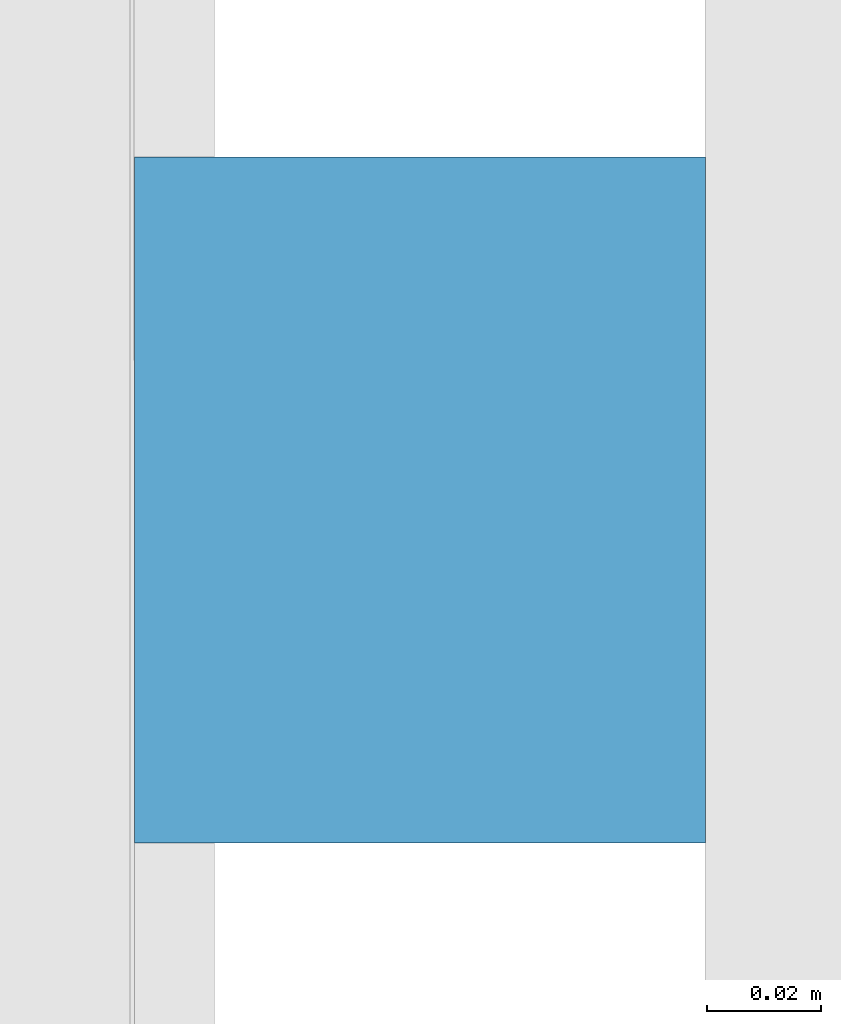
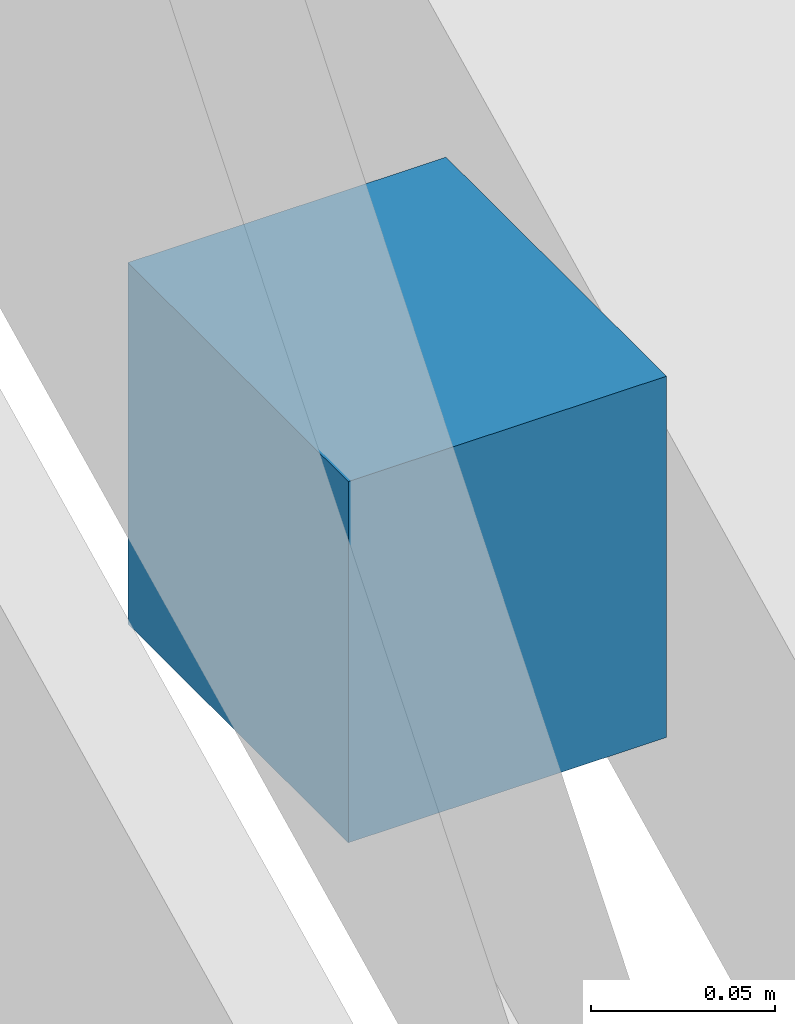
# One storey, part 21 of 22: 1 discrete accessory.
"""IFC4 building model written with IfcOpenShell, lengths in metres."""

from ifc_helpers import new_model, si_unit, direction, frame, origin, origin_2d, place, context, subcontext, project, spatial, rectangle, extrude, material, type_object, element, save


model = new_model("IFC4")

# Units and contexts
model_context = context("Model", 3, precision=1e-05, world=origin(), true_north=direction((0.0, 1.0)))
body_context = subcontext(model_context, "Body", "Model", "MODEL_VIEW")
ifc_project = project(units=[si_unit("LENGTHUNIT", "METRE"), si_unit("AREAUNIT", "SQUARE_METRE"), si_unit("VOLUMEUNIT", "CUBIC_METRE"), si_unit("PLANEANGLEUNIT", "RADIAN"), si_unit("MASSUNIT", "GRAM", prefix="KILO")], contexts=[model_context])

# Site, building, storey
site_placement = place(None, origin())
site = spatial("IfcSite", under=ifc_project, at=site_placement, CompositionType="ELEMENT")
building_placement = place(site_placement, origin())
building = spatial("IfcBuilding", under=site, at=building_placement, Name="Crosswind Convention Tower", CompositionType="ELEMENT")
storey_placement = place(building_placement, frame((0.0, 0.0, 142.10009765625)))
storey = spatial("IfcBuildingStorey", under=building, at=storey_placement, Name="L29", CompositionType="ELEMENT", Elevation=142.10009765625)

# Discrete accessory
ifc_material = material(Name="Stainless steel", Category="steel")
discrete_accessory_type = type_object("IfcDiscreteAccessoryType", Name="BAGUETTE BRACKET BK3", PredefinedType="BRACKET", material=ifc_material)
discrete_accessory_placement = place(storey_placement, frame((161.72607421875, 91.767578125, 1.704833984375), z_axis=(0.0, 0.0, 1.0), x_axis=(0.0, 1.0, 0.0)))
element("IfcDiscreteAccessory", 1, at=discrete_accessory_placement, inside=storey, type_object=discrete_accessory_type, Name="BK3 baguette bracket", PredefinedType="BRACKET", context=body_context, shape_type="SweptSolid", body=[
    extrude(rectangle(XDim=0.1201171875, YDim=0.10009765625, at=origin_2d()), origin(), (0.0, 0.0, 1.0), 0.1201171875),
])

save(model, "model.ifc")
